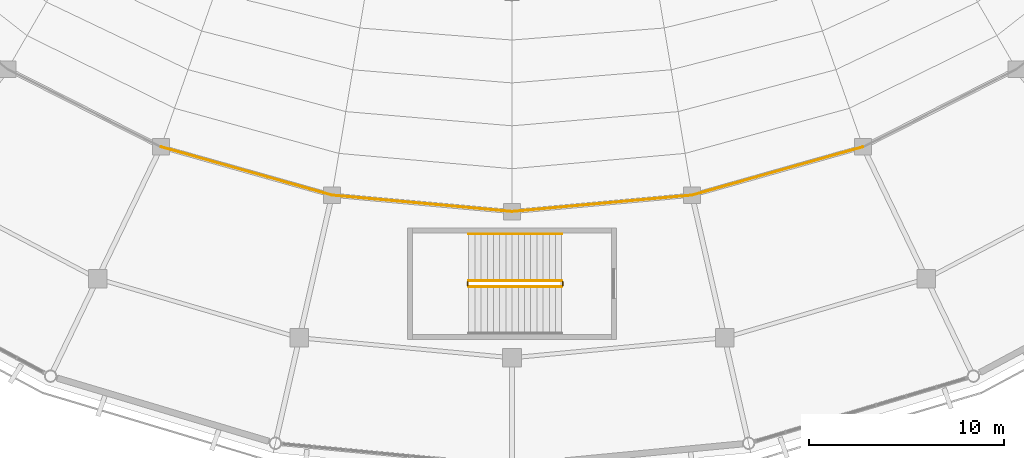
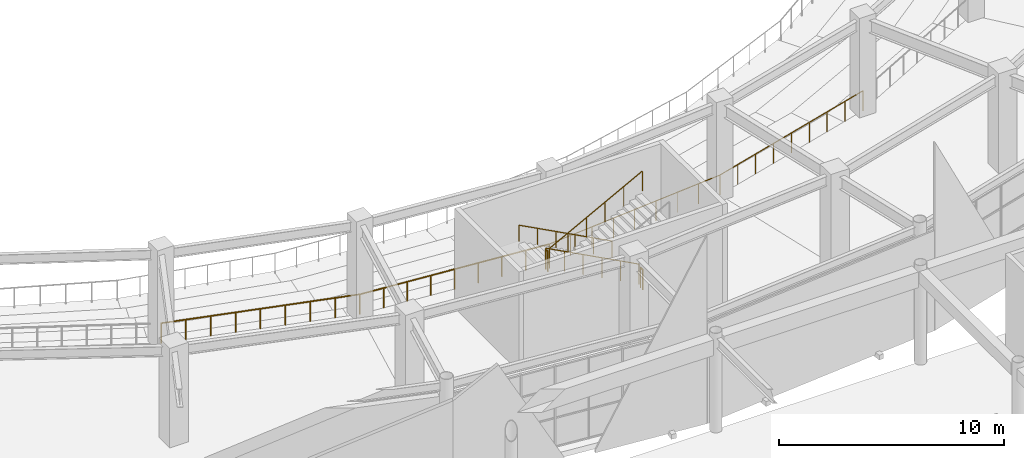
# One storey, part 98 of 120: 9 railings.
"""IFC4 building model written with IfcOpenShell, lengths in metres."""

from ifc_helpers import new_model, si_unit, direction, frame, origin, origin_2d, place, context, subcontext, project, spatial, circle, extrude, material, type_object, element, save


model = new_model("IFC4")

# Units and contexts
model_context = context("Model", 3, precision=1e-05, world=origin(), true_north=direction((0.0, 1.0)))
body_context = subcontext(model_context, "Body", "Model", "MODEL_VIEW")
ifc_project = project(units=[si_unit("LENGTHUNIT", "METRE"), si_unit("AREAUNIT", "SQUARE_METRE"), si_unit("VOLUMEUNIT", "CUBIC_METRE"), si_unit("PLANEANGLEUNIT", "RADIAN"), si_unit("MASSUNIT", "GRAM", prefix="KILO")], contexts=[model_context])

# Site, building, storey
site_placement = place(None, origin())
site = spatial("IfcSite", under=ifc_project, at=site_placement, CompositionType="ELEMENT")
building_placement = place(site_placement, origin())
building = spatial("IfcBuilding", under=site, at=building_placement, Name="Cuetzalor Civic Arena", CompositionType="ELEMENT")
storey_placement = place(building_placement, frame((0.0, 0.0, 6.0)))
storey = spatial("IfcBuildingStorey", under=building, at=storey_placement, Name="L01", CompositionType="ELEMENT", Elevation=6.0)

# Railings
ifc_material_1 = material(Name="Reseda-green Steel S355 and laminated glass guard", Category="steel")
railing_type_1 = type_object("IfcRailingType", Name="BowlSightlineGuard_1100", PredefinedType="BALUSTRADE", material=ifc_material_1)
railing_1_placement = place(storey_placement, frame((-18.006103515625, -30.1826171875, 0.0)))
element("IfcRailing", 1, at=railing_1_placement, inside=storey, type_object=railing_type_1, Name="Lower Bowl Concourse Rim Balustrade S20", PredefinedType="BALUSTRADE", context=body_context, shape_type="SweptSolid", body=[
    extrude(circle(Radius=0.02392578125, at=origin_2d()), frame((0.0, 0.0, 1.076171875), z_axis=(0.962348405043, -0.271818960543, 0.0), x_axis=(0.271818960543, 0.962348405043, 0.0)), (0.0, 0.0, 1.0), 9.11474609375),
    extrude(circle(Radius=0.02099609375, at=origin_2d()), origin(), (0.0, 0.0, 1.0), 1.052001953125),
    extrude(circle(Radius=0.02099609375, at=origin_2d()), frame((1.096435546875, -0.3095703125, 0.0)), (0.0, 0.0, 1.0), 1.052001953125),
    extrude(circle(Radius=0.02099609375, at=origin_2d()), frame((2.19287109375, -0.619384765625, 0.0)), (0.0, 0.0, 1.0), 1.052001953125),
    extrude(circle(Radius=0.02099609375, at=origin_2d()), frame((3.289306640625, -0.92919921875, 0.0)), (0.0, 0.0, 1.0), 1.052001953125),
    extrude(circle(Radius=0.02099609375, at=origin_2d()), frame((4.3857421875, -1.23876953125, 0.0)), (0.0, 0.0, 1.0), 1.052001953125),
    extrude(circle(Radius=0.02099609375, at=origin_2d()), frame((5.482177734375, -1.54833984375, 0.0)), (0.0, 0.0, 1.0), 1.052001953125),
    extrude(circle(Radius=0.02099609375, at=origin_2d()), frame((6.57861328125, -1.858154296875, 0.0)), (0.0, 0.0, 1.0), 1.052001953125),
    extrude(circle(Radius=0.02099609375, at=origin_2d()), frame((7.675048828125, -2.16796875, 0.0)), (0.0, 0.0, 1.0), 1.052001953125),
    extrude(circle(Radius=0.02099609375, at=origin_2d()), frame((8.771484375, -2.4775390625, 0.0)), (0.0, 0.0, 1.0), 1.052001953125),
])
railing_2_placement = place(storey_placement, frame((-9.234619140625, -32.66015625, 0.0)))
element("IfcRailing", 2, at=railing_2_placement, inside=storey, type_object=railing_type_1, Name="Lower Bowl Concourse Rim Balustrade S21", PredefinedType="BALUSTRADE", context=body_context, shape_type="SweptSolid", body=[
    extrude(circle(Radius=0.02392578125, at=origin_2d()), frame((0.0, 0.0, 1.076171875), z_axis=(0.995889968673, -0.090571354719, 0.0), x_axis=(0.090571354719, 0.995889968673, 0.0)), (0.0, 0.0, 1.0), 9.272705078125),
    extrude(circle(Radius=0.02099609375, at=origin_2d()), origin(), (0.0, 0.0, 1.0), 1.052001953125),
    extrude(circle(Radius=0.02099609375, at=origin_2d()), frame((1.154296875, -0.10498046875, 0.0)), (0.0, 0.0, 1.0), 1.052001953125),
    extrude(circle(Radius=0.02099609375, at=origin_2d()), frame((2.30859375, -0.2099609375, 0.0)), (0.0, 0.0, 1.0), 1.052001953125),
    extrude(circle(Radius=0.02099609375, at=origin_2d()), frame((3.462890625, -0.31494140625, 0.0)), (0.0, 0.0, 1.0), 1.052001953125),
    extrude(circle(Radius=0.02099609375, at=origin_2d()), frame((4.6171875, -0.419921875, 0.0)), (0.0, 0.0, 1.0), 1.052001953125),
    extrude(circle(Radius=0.02099609375, at=origin_2d()), frame((5.771728515625, -0.52490234375, 0.0)), (0.0, 0.0, 1.0), 1.052001953125),
    extrude(circle(Radius=0.02099609375, at=origin_2d()), frame((6.926025390625, -0.6298828125, 0.0)), (0.0, 0.0, 1.0), 1.052001953125),
    extrude(circle(Radius=0.02099609375, at=origin_2d()), frame((8.080322265625, -0.73486328125, 0.0)), (0.0, 0.0, 1.0), 1.052001953125),
    extrude(circle(Radius=0.02099609375, at=origin_2d()), frame((9.234619140625, -0.83984375, 0.0)), (0.0, 0.0, 1.0), 1.052001953125),
])
railing_3_placement = place(storey_placement, frame((0.0, -33.5, 0.0)))
element("IfcRailing", 3, at=railing_3_placement, inside=storey, type_object=railing_type_1, Name="Lower Bowl Concourse Rim Balustrade S22", PredefinedType="BALUSTRADE", context=body_context, shape_type="SweptSolid", body=[
    extrude(circle(Radius=0.02392578125, at=origin_2d()), frame((0.0, 0.0, 1.076171875), z_axis=(0.995889968673, 0.090571354719, 0.0), x_axis=(-0.090571354719, 0.995889968673, 0.0)), (0.0, 0.0, 1.0), 9.272705078125),
    extrude(circle(Radius=0.02099609375, at=origin_2d()), origin(), (0.0, 0.0, 1.0), 1.052001953125),
    extrude(circle(Radius=0.02099609375, at=origin_2d()), frame((1.154296875, 0.10498046875, 0.0)), (0.0, 0.0, 1.0), 1.052001953125),
    extrude(circle(Radius=0.02099609375, at=origin_2d()), frame((2.30859375, 0.2099609375, 0.0)), (0.0, 0.0, 1.0), 1.052001953125),
    extrude(circle(Radius=0.02099609375, at=origin_2d()), frame((3.462890625, 0.31494140625, 0.0)), (0.0, 0.0, 1.0), 1.052001953125),
    extrude(circle(Radius=0.02099609375, at=origin_2d()), frame((4.6171875, 0.419921875, 0.0)), (0.0, 0.0, 1.0), 1.052001953125),
    extrude(circle(Radius=0.02099609375, at=origin_2d()), frame((5.771728515625, 0.52490234375, 0.0)), (0.0, 0.0, 1.0), 1.052001953125),
    extrude(circle(Radius=0.02099609375, at=origin_2d()), frame((6.926025390625, 0.6298828125, 0.0)), (0.0, 0.0, 1.0), 1.052001953125),
    extrude(circle(Radius=0.02099609375, at=origin_2d()), frame((8.080322265625, 0.73486328125, 0.0)), (0.0, 0.0, 1.0), 1.052001953125),
    extrude(circle(Radius=0.02099609375, at=origin_2d()), frame((9.234619140625, 0.83984375, 0.0)), (0.0, 0.0, 1.0), 1.052001953125),
])
railing_4_placement = place(storey_placement, frame((9.234619140625, -32.66015625, 0.0)))
element("IfcRailing", 4, at=railing_4_placement, inside=storey, type_object=railing_type_1, Name="Lower Bowl Concourse Rim Balustrade S23", PredefinedType="BALUSTRADE", context=body_context, shape_type="SweptSolid", body=[
    extrude(circle(Radius=0.02392578125, at=origin_2d()), frame((0.0, 0.0, 1.076171875), z_axis=(0.962348405043, 0.271818960543, 0.0), x_axis=(-0.271818960543, 0.962348405043, 0.0)), (0.0, 0.0, 1.0), 9.11474609375),
    extrude(circle(Radius=0.02099609375, at=origin_2d()), origin(), (0.0, 0.0, 1.0), 1.052001953125),
    extrude(circle(Radius=0.02099609375, at=origin_2d()), frame((1.096435546875, 0.3095703125, 0.0)), (0.0, 0.0, 1.0), 1.052001953125),
    extrude(circle(Radius=0.02099609375, at=origin_2d()), frame((2.19287109375, 0.619384765625, 0.0)), (0.0, 0.0, 1.0), 1.052001953125),
    extrude(circle(Radius=0.02099609375, at=origin_2d()), frame((3.289306640625, 0.92919921875, 0.0)), (0.0, 0.0, 1.0), 1.052001953125),
    extrude(circle(Radius=0.02099609375, at=origin_2d()), frame((4.3857421875, 1.23876953125, 0.0)), (0.0, 0.0, 1.0), 1.052001953125),
    extrude(circle(Radius=0.02099609375, at=origin_2d()), frame((5.482177734375, 1.54833984375, 0.0)), (0.0, 0.0, 1.0), 1.052001953125),
    extrude(circle(Radius=0.02099609375, at=origin_2d()), frame((6.57861328125, 1.858154296875, 0.0)), (0.0, 0.0, 1.0), 1.052001953125),
    extrude(circle(Radius=0.02099609375, at=origin_2d()), frame((7.675048828125, 2.16796875, 0.0)), (0.0, 0.0, 1.0), 1.052001953125),
    extrude(circle(Radius=0.02099609375, at=origin_2d()), frame((8.771484375, 2.4775390625, 0.0)), (0.0, 0.0, 1.0), 1.052001953125),
])
ifc_material_2 = material(Name="Reseda-green architectural Steel S355 balustrade", Category="steel")
railing_type_2 = type_object("IfcRailingType", Name="InteriorVoidBalustrade_1100", PredefinedType="BALUSTRADE", material=ifc_material_2)
railing_5_placement = place(storey_placement, frame((2.550048828125, -37.050048828125, 0.168701171875)))
element("IfcRailing", 5, at=railing_5_placement, inside=storey, type_object=railing_type_2, Name="L01 ST-07 stair guard 1", PredefinedType="BALUSTRADE", context=body_context, shape_type="SweptSolid", body=[
    extrude(circle(Radius=0.02392578125, at=origin_2d()), frame((0.0, 0.0, 1.0810546875), z_axis=(-0.883332211103, 0.0, 0.468747485143), x_axis=(0.0, -1.0, 0.0)), (0.0, 0.0, 1.0), 5.400146484375),
    extrude(circle(Radius=0.02099609375, at=origin_2d()), origin(), (0.0, 0.0, 1.0), 1.056884765625),
    extrude(circle(Radius=0.02099609375, at=origin_2d()), frame((-0.9541015625, 0.0, 0.50634765625)), (0.0, 0.0, 1.0), 1.056884765625),
    extrude(circle(Radius=0.02099609375, at=origin_2d()), frame((-1.907958984375, 0.0, 1.012451171875)), (0.0, 0.0, 1.0), 1.056884765625),
    extrude(circle(Radius=0.02099609375, at=origin_2d()), frame((-2.862060546875, 0.0, 1.518798828125)), (0.0, 0.0, 1.0), 1.056884765625),
    extrude(circle(Radius=0.02099609375, at=origin_2d()), frame((-3.81591796875, 0.0, 2.02490234375)), (0.0, 0.0, 1.0), 1.056884765625),
    extrude(circle(Radius=0.02099609375, at=origin_2d()), frame((-4.77001953125, 0.0, 2.53125)), (0.0, 0.0, 1.0), 1.056884765625),
])
railing_6_placement = place(storey_placement, frame((-2.27001953125, -37.10009765625, 2.699951171875)))
element("IfcRailing", 6, at=railing_6_placement, inside=storey, type_object=railing_type_2, Name="L01 ST-07 stair guard 2", PredefinedType="BALUSTRADE", context=body_context, shape_type="SweptSolid", body=[
    extrude(circle(Radius=0.02392578125, at=origin_2d()), frame((0.0, 0.0, 1.0810546875), z_axis=(0.0, -1.0, 0.0), x_axis=(1.0, 0.0, 0.0)), (0.0, 0.0, 1.0), 0.199951171875),
    extrude(circle(Radius=0.02099609375, at=origin_2d()), origin(), (0.0, 0.0, 1.0), 1.056884765625),
    extrude(circle(Radius=0.02099609375, at=origin_2d()), frame((0.0, -0.199951171875, 0.0)), (0.0, 0.0, 1.0), 1.056884765625),
])
railing_7_placement = place(storey_placement, frame((-2.219970703125, -37.35009765625, 2.86865234375)))
element("IfcRailing", 7, at=railing_7_placement, inside=storey, type_object=railing_type_2, Name="L01 ST-07 stair guard 3", PredefinedType="BALUSTRADE", context=body_context, shape_type="SweptSolid", body=[
    extrude(circle(Radius=0.02392578125, at=origin_2d()), frame((0.0, 0.0, 1.0810546875), z_axis=(0.883332211103, 0.0, 0.468747485143), x_axis=(0.0, 1.0, 0.0)), (0.0, 0.0, 1.0), 5.400146484375),
    extrude(circle(Radius=0.02099609375, at=origin_2d()), origin(), (0.0, 0.0, 1.0), 1.056884765625),
    extrude(circle(Radius=0.02099609375, at=origin_2d()), frame((0.9541015625, 0.0, 0.50634765625)), (0.0, 0.0, 1.0), 1.056884765625),
    extrude(circle(Radius=0.02099609375, at=origin_2d()), frame((1.907958984375, 0.0, 1.012451171875)), (0.0, 0.0, 1.0), 1.056884765625),
    extrude(circle(Radius=0.02099609375, at=origin_2d()), frame((2.862060546875, 0.0, 1.518798828125)), (0.0, 0.0, 1.0), 1.056884765625),
    extrude(circle(Radius=0.02099609375, at=origin_2d()), frame((3.81591796875, 0.0, 2.02490234375)), (0.0, 0.0, 1.0), 1.056884765625),
    extrude(circle(Radius=0.02099609375, at=origin_2d()), frame((4.77001953125, 0.0, 2.53125)), (0.0, 0.0, 1.0), 1.056884765625),
])
railing_8_placement = place(storey_placement, frame((2.60009765625, -37.10009765625, 0.0)))
element("IfcRailing", 8, at=railing_8_placement, inside=storey, type_object=railing_type_2, Name="L01 ST-07 stair guard 4", PredefinedType="BALUSTRADE", context=body_context, shape_type="SweptSolid", body=[
    extrude(circle(Radius=0.02392578125, at=origin_2d()), frame((0.0, 0.0, 1.0810546875), z_axis=(0.0, -1.0, 0.0), x_axis=(1.0, 0.0, 0.0)), (0.0, 0.0, 1.0), 0.199951171875),
    extrude(circle(Radius=0.02099609375, at=origin_2d()), origin(), (0.0, 0.0, 1.0), 1.056884765625),
    extrude(circle(Radius=0.02099609375, at=origin_2d()), frame((0.0, -0.199951171875, 0.0)), (0.0, 0.0, 1.0), 1.056884765625),
])
ifc_material_3 = material(Name="Galvanised steel S355", Category="steel")
railing_type_3 = type_object("IfcRailingType", Name="StairPitchHandrail_900", PredefinedType="HANDRAIL", material=ifc_material_3)
railing_9_placement = place(storey_placement, frame((2.550048828125, -34.64990234375, 0.168701171875)))
element("IfcRailing", 9, at=railing_9_placement, inside=storey, type_object=railing_type_3, Name="L01 ST-07 stair handrail 1", PredefinedType="HANDRAIL", context=body_context, shape_type="SweptSolid", body=[
    extrude(circle(Radius=0.02392578125, at=origin_2d()), frame((0.0, 0.0, 0.8759765625), z_axis=(-0.883332211103, 0.0, 0.468747485143), x_axis=(0.0, -1.0, 0.0)), (0.0, 0.0, 1.0), 5.400146484375),
    extrude(circle(Radius=0.02099609375, at=origin_2d()), origin(), (0.0, 0.0, 1.0), 0.851806640625),
    extrude(circle(Radius=0.02099609375, at=origin_2d()), frame((-0.9541015625, 0.0, 0.50634765625)), (0.0, 0.0, 1.0), 0.851806640625),
    extrude(circle(Radius=0.02099609375, at=origin_2d()), frame((-1.907958984375, 0.0, 1.012451171875)), (0.0, 0.0, 1.0), 0.851806640625),
    extrude(circle(Radius=0.02099609375, at=origin_2d()), frame((-2.862060546875, 0.0, 1.518798828125)), (0.0, 0.0, 1.0), 0.851806640625),
    extrude(circle(Radius=0.02099609375, at=origin_2d()), frame((-3.81591796875, 0.0, 2.02490234375)), (0.0, 0.0, 1.0), 0.851806640625),
    extrude(circle(Radius=0.02099609375, at=origin_2d()), frame((-4.77001953125, 0.0, 2.53125)), (0.0, 0.0, 1.0), 0.851806640625),
])

save(model, "model.ifc")
